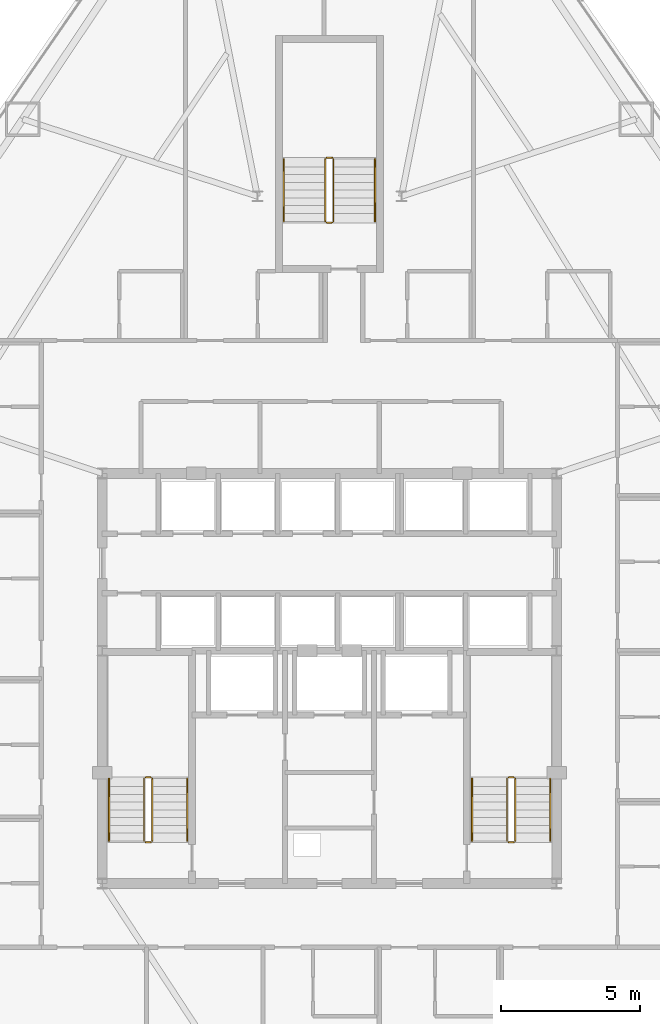
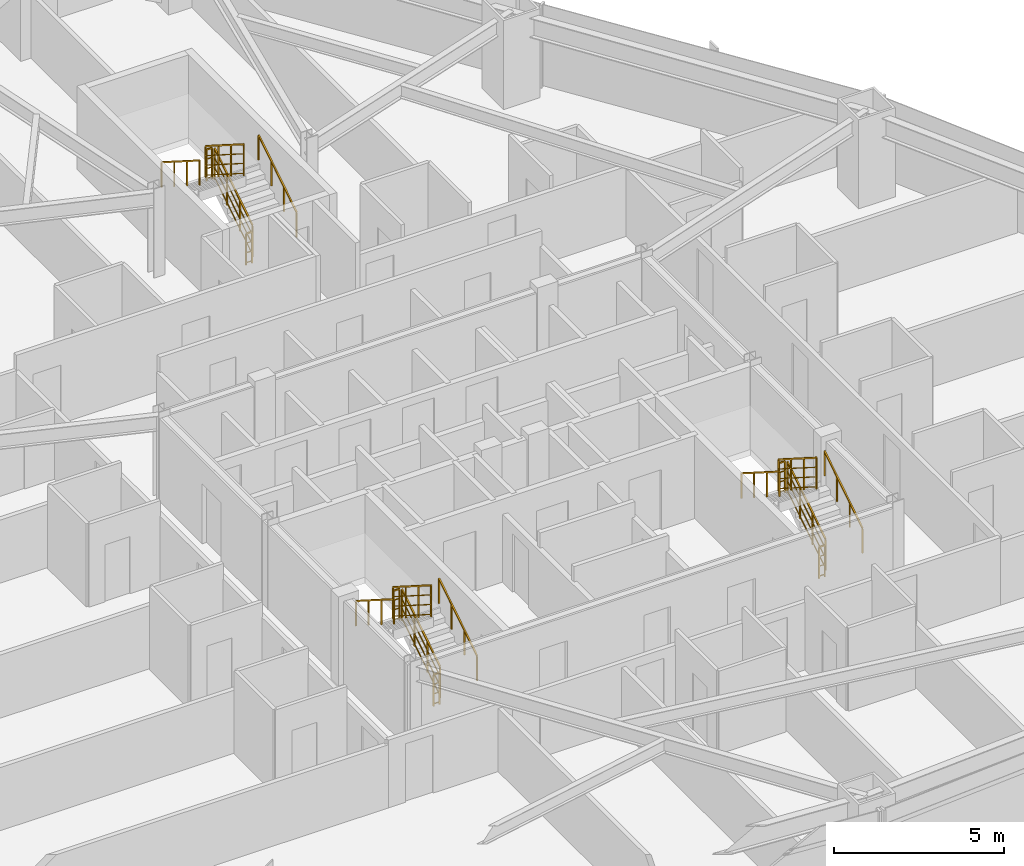
# One storey, part 13 of 13: 18 railings.
"""IFC4 building model written with IfcOpenShell, lengths in metres."""

from ifc_helpers import new_model, si_unit, direction, frame, origin, origin_2d, place, context, subcontext, project, spatial, rectangle, extrude, material, type_object, element, save


model = new_model("IFC4")

# Units and contexts
model_context = context("Model", 3, precision=1e-05, world=origin(), true_north=direction((0.0, 1.0)))
body_context = subcontext(model_context, "Body", "Model", "MODEL_VIEW")
ifc_project = project(units=[si_unit("LENGTHUNIT", "METRE"), si_unit("AREAUNIT", "SQUARE_METRE"), si_unit("VOLUMEUNIT", "CUBIC_METRE"), si_unit("PLANEANGLEUNIT", "RADIAN"), si_unit("MASSUNIT", "GRAM", prefix="KILO")], contexts=[model_context])

# Site, building, storey
site_placement = place(None, origin())
site = spatial("IfcSite", under=ifc_project, at=site_placement, CompositionType="ELEMENT")
building_placement = place(site_placement, origin())
building = spatial("IfcBuilding", under=site, at=building_placement, Name="Varakhsha Concourse Tower", CompositionType="ELEMENT")
storey_placement = place(building_placement, frame((0.0, 0.0, 46.39990234375)))
storey = spatial("IfcBuildingStorey", under=building, at=storey_placement, Name="L12", CompositionType="ELEMENT", Elevation=46.39990234375)

# Railings
ifc_material = material(Name="Brushed Austenitic Stainless Steel AISI 316", Category="steel")
railing_type_1 = type_object("IfcRailingType", Name="RL-STAIR-GUARD-1100", PredefinedType="GUARDRAIL", material=ifc_material)
railing_1_placement = place(storey_placement, frame((33.610107421875, 17.93994140625, 0.177978515625)))
element("IfcRailing", 1, at=railing_1_placement, inside=storey, type_object=railing_type_1, Name="L12 ST1 stair guard 1", PredefinedType="GUARDRAIL", context=body_context, shape_type="SweptSolid", body=[
    extrude(rectangle(XDim=0.048095703125, YDim=0.048095703125, at=origin_2d()), frame((0.0, 0.0, 1.1259765625), z_axis=(0.0, 0.8442293374, 0.53598211339), x_axis=(-1.0, 0.0, 0.0)), (0.0, 0.0, 1.0), 2.6533203125),
    extrude(rectangle(XDim=0.028076171875, YDim=0.028076171875, at=origin_2d()), frame((0.0, 0.0, 0.080078125), z_axis=(0.0, 0.8442293374, 0.53598211339), x_axis=(-1.0, 0.0, 0.0)), (0.0, 0.0, 1.0), 2.6533203125),
    extrude(rectangle(XDim=0.028076171875, YDim=0.028076171875, at=origin_2d()), frame((0.0, 0.0, 0.43701171875), z_axis=(0.0, 0.8442293374, 0.53598211339), x_axis=(-1.0, 0.0, 0.0)), (0.0, 0.0, 1.0), 2.6533203125),
    extrude(rectangle(XDim=0.028076171875, YDim=0.028076171875, at=origin_2d()), frame((0.0, 0.0, 0.781982421875), z_axis=(0.0, 0.8442293374, 0.53598211339), x_axis=(-1.0, 0.0, 0.0)), (0.0, 0.0, 1.0), 2.6533203125),
    extrude(rectangle(XDim=0.0419921875, YDim=0.0419921875, at=origin_2d()), origin(), (0.0, 0.0, 1.0), 1.101806640625),
    extrude(rectangle(XDim=0.0419921875, YDim=0.0419921875, at=origin_2d()), frame((0.0, 0.74658203125, 0.47412109375)), (0.0, 0.0, 1.0), 1.101806640625),
    extrude(rectangle(XDim=0.0419921875, YDim=0.0419921875, at=origin_2d()), frame((0.0, 1.493408203125, 0.947998046875)), (0.0, 0.0, 1.0), 1.101806640625),
    extrude(rectangle(XDim=0.0419921875, YDim=0.0419921875, at=origin_2d()), frame((0.0, 2.239990234375, 1.422119140625)), (0.0, 0.0, 1.0), 1.101806640625),
])
railing_2_placement = place(storey_placement, frame((33.56005859375, 20.22998046875, 1.60009765625)))
element("IfcRailing", 2, at=railing_2_placement, inside=storey, type_object=railing_type_1, Name="L12 ST1 stair guard 2", PredefinedType="GUARDRAIL", context=body_context, shape_type="SweptSolid", body=[
    extrude(rectangle(XDim=0.048095703125, YDim=0.048095703125, at=origin_2d()), frame((0.0, 0.0, 1.1259765625), z_axis=(-1.0, 0.0, 0.0), x_axis=(0.0, -1.0, 0.0)), (0.0, 0.0, 1.0), 0.199951171875),
    extrude(rectangle(XDim=0.028076171875, YDim=0.028076171875, at=origin_2d()), frame((0.0, 0.0, 0.080078125), z_axis=(-1.0, 0.0, 0.0), x_axis=(0.0, -1.0, 0.0)), (0.0, 0.0, 1.0), 0.199951171875),
    extrude(rectangle(XDim=0.028076171875, YDim=0.028076171875, at=origin_2d()), frame((0.0, 0.0, 0.43701171875), z_axis=(-1.0, 0.0, 0.0), x_axis=(0.0, -1.0, 0.0)), (0.0, 0.0, 1.0), 0.199951171875),
    extrude(rectangle(XDim=0.028076171875, YDim=0.028076171875, at=origin_2d()), frame((0.0, 0.0, 0.781982421875), z_axis=(-1.0, 0.0, 0.0), x_axis=(0.0, -1.0, 0.0)), (0.0, 0.0, 1.0), 0.199951171875),
    extrude(rectangle(XDim=0.0419921875, YDim=0.0419921875, at=origin_2d()), origin(), (0.0, 0.0, 1.0), 1.101806640625),
    extrude(rectangle(XDim=0.0419921875, YDim=0.0419921875, at=origin_2d()), frame((-0.199951171875, 0.0, 0.0)), (0.0, 0.0, 1.0), 1.101806640625),
])
railing_3_placement = place(storey_placement, frame((33.31005859375, 20.179931640625, 1.77783203125)))
element("IfcRailing", 3, at=railing_3_placement, inside=storey, type_object=railing_type_1, Name="L12 ST1 stair guard 3", PredefinedType="GUARDRAIL", context=body_context, shape_type="SweptSolid", body=[
    extrude(rectangle(XDim=0.048095703125, YDim=0.048095703125, at=origin_2d()), frame((0.0, 0.0, 1.1259765625), z_axis=(0.0, -0.84418770128, 0.536047689118), x_axis=(1.0, 0.0, 0.0)), (0.0, 0.0, 1.0), 2.6533203125),
    extrude(rectangle(XDim=0.028076171875, YDim=0.028076171875, at=origin_2d()), frame((0.0, 0.0, 0.080078125), z_axis=(0.0, -0.84418770128, 0.536047689118), x_axis=(1.0, 0.0, 0.0)), (0.0, 0.0, 1.0), 2.6533203125),
    extrude(rectangle(XDim=0.028076171875, YDim=0.028076171875, at=origin_2d()), frame((0.0, 0.0, 0.43701171875), z_axis=(0.0, -0.84418770128, 0.536047689118), x_axis=(1.0, 0.0, 0.0)), (0.0, 0.0, 1.0), 2.6533203125),
    extrude(rectangle(XDim=0.028076171875, YDim=0.028076171875, at=origin_2d()), frame((0.0, 0.0, 0.781982421875), z_axis=(0.0, -0.84418770128, 0.536047689118), x_axis=(1.0, 0.0, 0.0)), (0.0, 0.0, 1.0), 2.6533203125),
    extrude(rectangle(XDim=0.0419921875, YDim=0.0419921875, at=origin_2d()), origin(), (0.0, 0.0, 1.0), 1.101806640625),
    extrude(rectangle(XDim=0.0419921875, YDim=0.0419921875, at=origin_2d()), frame((0.0, -0.74658203125, 0.47412109375)), (0.0, 0.0, 1.0), 1.101806640625),
    extrude(rectangle(XDim=0.0419921875, YDim=0.0419921875, at=origin_2d()), frame((0.0, -1.493408203125, 0.9482421875)), (0.0, 0.0, 1.0), 1.101806640625),
    extrude(rectangle(XDim=0.0419921875, YDim=0.0419921875, at=origin_2d()), frame((0.0, -2.239990234375, 1.42236328125)), (0.0, 0.0, 1.0), 1.101806640625),
])
railing_4_placement = place(storey_placement, frame((33.56005859375, 17.889892578125, 0.0)))
element("IfcRailing", 4, at=railing_4_placement, inside=storey, type_object=railing_type_1, Name="L12 ST1 stair guard 4", PredefinedType="GUARDRAIL", context=body_context, shape_type="SweptSolid", body=[
    extrude(rectangle(XDim=0.048095703125, YDim=0.048095703125, at=origin_2d()), frame((0.0, 0.0, 1.1259765625), z_axis=(-1.0, 0.0, 0.0), x_axis=(0.0, -1.0, 0.0)), (0.0, 0.0, 1.0), 0.199951171875),
    extrude(rectangle(XDim=0.028076171875, YDim=0.028076171875, at=origin_2d()), frame((0.0, 0.0, 0.080078125), z_axis=(-1.0, 0.0, 0.0), x_axis=(0.0, -1.0, 0.0)), (0.0, 0.0, 1.0), 0.199951171875),
    extrude(rectangle(XDim=0.028076171875, YDim=0.028076171875, at=origin_2d()), frame((0.0, 0.0, 0.43701171875), z_axis=(-1.0, 0.0, 0.0), x_axis=(0.0, -1.0, 0.0)), (0.0, 0.0, 1.0), 0.199951171875),
    extrude(rectangle(XDim=0.028076171875, YDim=0.028076171875, at=origin_2d()), frame((0.0, 0.0, 0.781982421875), z_axis=(-1.0, 0.0, 0.0), x_axis=(0.0, -1.0, 0.0)), (0.0, 0.0, 1.0), 0.199951171875),
    extrude(rectangle(XDim=0.0419921875, YDim=0.0419921875, at=origin_2d()), origin(), (0.0, 0.0, 1.0), 1.101806640625),
    extrude(rectangle(XDim=0.0419921875, YDim=0.0419921875, at=origin_2d()), frame((-0.199951171875, 0.0, 0.0)), (0.0, 0.0, 1.0), 1.101806640625),
])
railing_5_placement = place(storey_placement, frame((46.7099609375, 17.93994140625, 0.177978515625)))
element("IfcRailing", 5, at=railing_5_placement, inside=storey, type_object=railing_type_1, Name="L12 ST2 stair guard 1", PredefinedType="GUARDRAIL", context=body_context, shape_type="SweptSolid", body=[
    extrude(rectangle(XDim=0.048095703125, YDim=0.048095703125, at=origin_2d()), frame((0.0, 0.0, 1.1259765625), z_axis=(0.0, 0.8442293374, 0.53598211339), x_axis=(-1.0, 0.0, 0.0)), (0.0, 0.0, 1.0), 2.6533203125),
    extrude(rectangle(XDim=0.028076171875, YDim=0.028076171875, at=origin_2d()), frame((0.0, 0.0, 0.080078125), z_axis=(0.0, 0.8442293374, 0.53598211339), x_axis=(-1.0, 0.0, 0.0)), (0.0, 0.0, 1.0), 2.6533203125),
    extrude(rectangle(XDim=0.028076171875, YDim=0.028076171875, at=origin_2d()), frame((0.0, 0.0, 0.43701171875), z_axis=(0.0, 0.8442293374, 0.53598211339), x_axis=(-1.0, 0.0, 0.0)), (0.0, 0.0, 1.0), 2.6533203125),
    extrude(rectangle(XDim=0.028076171875, YDim=0.028076171875, at=origin_2d()), frame((0.0, 0.0, 0.781982421875), z_axis=(0.0, 0.8442293374, 0.53598211339), x_axis=(-1.0, 0.0, 0.0)), (0.0, 0.0, 1.0), 2.6533203125),
    extrude(rectangle(XDim=0.0419921875, YDim=0.0419921875, at=origin_2d()), origin(), (0.0, 0.0, 1.0), 1.101806640625),
    extrude(rectangle(XDim=0.0419921875, YDim=0.0419921875, at=origin_2d()), frame((0.0, 0.74658203125, 0.47412109375)), (0.0, 0.0, 1.0), 1.101806640625),
    extrude(rectangle(XDim=0.0419921875, YDim=0.0419921875, at=origin_2d()), frame((0.0, 1.493408203125, 0.947998046875)), (0.0, 0.0, 1.0), 1.101806640625),
    extrude(rectangle(XDim=0.0419921875, YDim=0.0419921875, at=origin_2d()), frame((0.0, 2.239990234375, 1.422119140625)), (0.0, 0.0, 1.0), 1.101806640625),
])
railing_6_placement = place(storey_placement, frame((46.659912109375, 20.22998046875, 1.60009765625)))
element("IfcRailing", 6, at=railing_6_placement, inside=storey, type_object=railing_type_1, Name="L12 ST2 stair guard 2", PredefinedType="GUARDRAIL", context=body_context, shape_type="SweptSolid", body=[
    extrude(rectangle(XDim=0.048095703125, YDim=0.048095703125, at=origin_2d()), frame((0.0, 0.0, 1.1259765625), z_axis=(-1.0, 0.0, 0.0), x_axis=(0.0, -1.0, 0.0)), (0.0, 0.0, 1.0), 0.199951171875),
    extrude(rectangle(XDim=0.028076171875, YDim=0.028076171875, at=origin_2d()), frame((0.0, 0.0, 0.080078125), z_axis=(-1.0, 0.0, 0.0), x_axis=(0.0, -1.0, 0.0)), (0.0, 0.0, 1.0), 0.199951171875),
    extrude(rectangle(XDim=0.028076171875, YDim=0.028076171875, at=origin_2d()), frame((0.0, 0.0, 0.43701171875), z_axis=(-1.0, 0.0, 0.0), x_axis=(0.0, -1.0, 0.0)), (0.0, 0.0, 1.0), 0.199951171875),
    extrude(rectangle(XDim=0.028076171875, YDim=0.028076171875, at=origin_2d()), frame((0.0, 0.0, 0.781982421875), z_axis=(-1.0, 0.0, 0.0), x_axis=(0.0, -1.0, 0.0)), (0.0, 0.0, 1.0), 0.199951171875),
    extrude(rectangle(XDim=0.0419921875, YDim=0.0419921875, at=origin_2d()), origin(), (0.0, 0.0, 1.0), 1.101806640625),
    extrude(rectangle(XDim=0.0419921875, YDim=0.0419921875, at=origin_2d()), frame((-0.199951171875, 0.0, 0.0)), (0.0, 0.0, 1.0), 1.101806640625),
])
railing_7_placement = place(storey_placement, frame((46.409912109375, 20.179931640625, 1.77783203125)))
element("IfcRailing", 7, at=railing_7_placement, inside=storey, type_object=railing_type_1, Name="L12 ST2 stair guard 3", PredefinedType="GUARDRAIL", context=body_context, shape_type="SweptSolid", body=[
    extrude(rectangle(XDim=0.048095703125, YDim=0.048095703125, at=origin_2d()), frame((0.0, 0.0, 1.1259765625), z_axis=(0.0, -0.84418770128, 0.536047689118), x_axis=(1.0, 0.0, 0.0)), (0.0, 0.0, 1.0), 2.6533203125),
    extrude(rectangle(XDim=0.028076171875, YDim=0.028076171875, at=origin_2d()), frame((0.0, 0.0, 0.080078125), z_axis=(0.0, -0.84418770128, 0.536047689118), x_axis=(1.0, 0.0, 0.0)), (0.0, 0.0, 1.0), 2.6533203125),
    extrude(rectangle(XDim=0.028076171875, YDim=0.028076171875, at=origin_2d()), frame((0.0, 0.0, 0.43701171875), z_axis=(0.0, -0.84418770128, 0.536047689118), x_axis=(1.0, 0.0, 0.0)), (0.0, 0.0, 1.0), 2.6533203125),
    extrude(rectangle(XDim=0.028076171875, YDim=0.028076171875, at=origin_2d()), frame((0.0, 0.0, 0.781982421875), z_axis=(0.0, -0.84418770128, 0.536047689118), x_axis=(1.0, 0.0, 0.0)), (0.0, 0.0, 1.0), 2.6533203125),
    extrude(rectangle(XDim=0.0419921875, YDim=0.0419921875, at=origin_2d()), origin(), (0.0, 0.0, 1.0), 1.101806640625),
    extrude(rectangle(XDim=0.0419921875, YDim=0.0419921875, at=origin_2d()), frame((0.0, -0.74658203125, 0.47412109375)), (0.0, 0.0, 1.0), 1.101806640625),
    extrude(rectangle(XDim=0.0419921875, YDim=0.0419921875, at=origin_2d()), frame((0.0, -1.493408203125, 0.9482421875)), (0.0, 0.0, 1.0), 1.101806640625),
    extrude(rectangle(XDim=0.0419921875, YDim=0.0419921875, at=origin_2d()), frame((0.0, -2.239990234375, 1.42236328125)), (0.0, 0.0, 1.0), 1.101806640625),
])
railing_8_placement = place(storey_placement, frame((46.659912109375, 17.889892578125, 0.0)))
element("IfcRailing", 8, at=railing_8_placement, inside=storey, type_object=railing_type_1, Name="L12 ST2 stair guard 4", PredefinedType="GUARDRAIL", context=body_context, shape_type="SweptSolid", body=[
    extrude(rectangle(XDim=0.048095703125, YDim=0.048095703125, at=origin_2d()), frame((0.0, 0.0, 1.1259765625), z_axis=(-1.0, 0.0, 0.0), x_axis=(0.0, -1.0, 0.0)), (0.0, 0.0, 1.0), 0.199951171875),
    extrude(rectangle(XDim=0.028076171875, YDim=0.028076171875, at=origin_2d()), frame((0.0, 0.0, 0.080078125), z_axis=(-1.0, 0.0, 0.0), x_axis=(0.0, -1.0, 0.0)), (0.0, 0.0, 1.0), 0.199951171875),
    extrude(rectangle(XDim=0.028076171875, YDim=0.028076171875, at=origin_2d()), frame((0.0, 0.0, 0.43701171875), z_axis=(-1.0, 0.0, 0.0), x_axis=(0.0, -1.0, 0.0)), (0.0, 0.0, 1.0), 0.199951171875),
    extrude(rectangle(XDim=0.028076171875, YDim=0.028076171875, at=origin_2d()), frame((0.0, 0.0, 0.781982421875), z_axis=(-1.0, 0.0, 0.0), x_axis=(0.0, -1.0, 0.0)), (0.0, 0.0, 1.0), 0.199951171875),
    extrude(rectangle(XDim=0.0419921875, YDim=0.0419921875, at=origin_2d()), origin(), (0.0, 0.0, 1.0), 1.101806640625),
    extrude(rectangle(XDim=0.0419921875, YDim=0.0419921875, at=origin_2d()), frame((-0.199951171875, 0.0, 0.0)), (0.0, 0.0, 1.0), 1.101806640625),
])
railing_9_placement = place(storey_placement, frame((40.14990234375, 40.300048828125, 0.177978515625)))
element("IfcRailing", 9, at=railing_9_placement, inside=storey, type_object=railing_type_1, Name="L12 ST5 stair guard 1", PredefinedType="GUARDRAIL", context=body_context, shape_type="SweptSolid", body=[
    extrude(rectangle(XDim=0.048095703125, YDim=0.048095703125, at=origin_2d()), frame((0.0, 0.0, 1.1259765625), z_axis=(0.0, 0.8442293374, 0.53598211339), x_axis=(-1.0, 0.0, 0.0)), (0.0, 0.0, 1.0), 2.6533203125),
    extrude(rectangle(XDim=0.028076171875, YDim=0.028076171875, at=origin_2d()), frame((0.0, 0.0, 0.080078125), z_axis=(0.0, 0.8442293374, 0.53598211339), x_axis=(-1.0, 0.0, 0.0)), (0.0, 0.0, 1.0), 2.6533203125),
    extrude(rectangle(XDim=0.028076171875, YDim=0.028076171875, at=origin_2d()), frame((0.0, 0.0, 0.43701171875), z_axis=(0.0, 0.8442293374, 0.53598211339), x_axis=(-1.0, 0.0, 0.0)), (0.0, 0.0, 1.0), 2.6533203125),
    extrude(rectangle(XDim=0.028076171875, YDim=0.028076171875, at=origin_2d()), frame((0.0, 0.0, 0.781982421875), z_axis=(0.0, 0.8442293374, 0.53598211339), x_axis=(-1.0, 0.0, 0.0)), (0.0, 0.0, 1.0), 2.6533203125),
    extrude(rectangle(XDim=0.0419921875, YDim=0.0419921875, at=origin_2d()), origin(), (0.0, 0.0, 1.0), 1.101806640625),
    extrude(rectangle(XDim=0.0419921875, YDim=0.0419921875, at=origin_2d()), frame((0.0, 0.74658203125, 0.47412109375)), (0.0, 0.0, 1.0), 1.101806640625),
    extrude(rectangle(XDim=0.0419921875, YDim=0.0419921875, at=origin_2d()), frame((0.0, 1.493408203125, 0.947998046875)), (0.0, 0.0, 1.0), 1.101806640625),
    extrude(rectangle(XDim=0.0419921875, YDim=0.0419921875, at=origin_2d()), frame((0.0, 2.239990234375, 1.422119140625)), (0.0, 0.0, 1.0), 1.101806640625),
])
railing_10_placement = place(storey_placement, frame((40.10009765625, 42.590087890625, 1.60009765625)))
element("IfcRailing", 10, at=railing_10_placement, inside=storey, type_object=railing_type_1, Name="L12 ST5 stair guard 2", PredefinedType="GUARDRAIL", context=body_context, shape_type="SweptSolid", body=[
    extrude(rectangle(XDim=0.048095703125, YDim=0.048095703125, at=origin_2d()), frame((0.0, 0.0, 1.1259765625), z_axis=(-1.0, 0.0, 0.0), x_axis=(0.0, -1.0, 0.0)), (0.0, 0.0, 1.0), 0.2001953125),
    extrude(rectangle(XDim=0.028076171875, YDim=0.028076171875, at=origin_2d()), frame((0.0, 0.0, 0.080078125), z_axis=(-1.0, 0.0, 0.0), x_axis=(0.0, -1.0, 0.0)), (0.0, 0.0, 1.0), 0.2001953125),
    extrude(rectangle(XDim=0.028076171875, YDim=0.028076171875, at=origin_2d()), frame((0.0, 0.0, 0.43701171875), z_axis=(-1.0, 0.0, 0.0), x_axis=(0.0, -1.0, 0.0)), (0.0, 0.0, 1.0), 0.2001953125),
    extrude(rectangle(XDim=0.028076171875, YDim=0.028076171875, at=origin_2d()), frame((0.0, 0.0, 0.781982421875), z_axis=(-1.0, 0.0, 0.0), x_axis=(0.0, -1.0, 0.0)), (0.0, 0.0, 1.0), 0.2001953125),
    extrude(rectangle(XDim=0.0419921875, YDim=0.0419921875, at=origin_2d()), origin(), (0.0, 0.0, 1.0), 1.101806640625),
    extrude(rectangle(XDim=0.0419921875, YDim=0.0419921875, at=origin_2d()), frame((-0.2001953125, 0.0, 0.0)), (0.0, 0.0, 1.0), 1.101806640625),
])
railing_11_placement = place(storey_placement, frame((39.85009765625, 42.5400390625, 1.77783203125)))
element("IfcRailing", 11, at=railing_11_placement, inside=storey, type_object=railing_type_1, Name="L12 ST5 stair guard 3", PredefinedType="GUARDRAIL", context=body_context, shape_type="SweptSolid", body=[
    extrude(rectangle(XDim=0.048095703125, YDim=0.048095703125, at=origin_2d()), frame((0.0, 0.0, 1.1259765625), z_axis=(0.0, -0.84418770128, 0.536047689118), x_axis=(1.0, 0.0, 0.0)), (0.0, 0.0, 1.0), 2.6533203125),
    extrude(rectangle(XDim=0.028076171875, YDim=0.028076171875, at=origin_2d()), frame((0.0, 0.0, 0.080078125), z_axis=(0.0, -0.84418770128, 0.536047689118), x_axis=(1.0, 0.0, 0.0)), (0.0, 0.0, 1.0), 2.6533203125),
    extrude(rectangle(XDim=0.028076171875, YDim=0.028076171875, at=origin_2d()), frame((0.0, 0.0, 0.43701171875), z_axis=(0.0, -0.84418770128, 0.536047689118), x_axis=(1.0, 0.0, 0.0)), (0.0, 0.0, 1.0), 2.6533203125),
    extrude(rectangle(XDim=0.028076171875, YDim=0.028076171875, at=origin_2d()), frame((0.0, 0.0, 0.781982421875), z_axis=(0.0, -0.84418770128, 0.536047689118), x_axis=(1.0, 0.0, 0.0)), (0.0, 0.0, 1.0), 2.6533203125),
    extrude(rectangle(XDim=0.0419921875, YDim=0.0419921875, at=origin_2d()), origin(), (0.0, 0.0, 1.0), 1.101806640625),
    extrude(rectangle(XDim=0.0419921875, YDim=0.0419921875, at=origin_2d()), frame((0.0, -0.74658203125, 0.47412109375)), (0.0, 0.0, 1.0), 1.101806640625),
    extrude(rectangle(XDim=0.0419921875, YDim=0.0419921875, at=origin_2d()), frame((0.0, -1.493408203125, 0.9482421875)), (0.0, 0.0, 1.0), 1.101806640625),
    extrude(rectangle(XDim=0.0419921875, YDim=0.0419921875, at=origin_2d()), frame((0.0, -2.239990234375, 1.42236328125)), (0.0, 0.0, 1.0), 1.101806640625),
])
railing_12_placement = place(storey_placement, frame((40.10009765625, 40.25, 0.0)))
element("IfcRailing", 12, at=railing_12_placement, inside=storey, type_object=railing_type_1, Name="L12 ST5 stair guard 4", PredefinedType="GUARDRAIL", context=body_context, shape_type="SweptSolid", body=[
    extrude(rectangle(XDim=0.048095703125, YDim=0.048095703125, at=origin_2d()), frame((0.0, 0.0, 1.1259765625), z_axis=(-1.0, 0.0, 0.0), x_axis=(0.0, -1.0, 0.0)), (0.0, 0.0, 1.0), 0.2001953125),
    extrude(rectangle(XDim=0.028076171875, YDim=0.028076171875, at=origin_2d()), frame((0.0, 0.0, 0.080078125), z_axis=(-1.0, 0.0, 0.0), x_axis=(0.0, -1.0, 0.0)), (0.0, 0.0, 1.0), 0.2001953125),
    extrude(rectangle(XDim=0.028076171875, YDim=0.028076171875, at=origin_2d()), frame((0.0, 0.0, 0.43701171875), z_axis=(-1.0, 0.0, 0.0), x_axis=(0.0, -1.0, 0.0)), (0.0, 0.0, 1.0), 0.2001953125),
    extrude(rectangle(XDim=0.028076171875, YDim=0.028076171875, at=origin_2d()), frame((0.0, 0.0, 0.781982421875), z_axis=(-1.0, 0.0, 0.0), x_axis=(0.0, -1.0, 0.0)), (0.0, 0.0, 1.0), 0.2001953125),
    extrude(rectangle(XDim=0.0419921875, YDim=0.0419921875, at=origin_2d()), origin(), (0.0, 0.0, 1.0), 1.101806640625),
    extrude(rectangle(XDim=0.0419921875, YDim=0.0419921875, at=origin_2d()), frame((-0.2001953125, 0.0, 0.0)), (0.0, 0.0, 1.0), 1.101806640625),
])
railing_type_2 = type_object("IfcRailingType", Name="RL-STAIR-RAIL-915", PredefinedType="HANDRAIL", material=ifc_material)
railing_13_placement = place(storey_placement, frame((34.8701171875, 17.93994140625, 0.355712890625)))
element("IfcRailing", 13, at=railing_13_placement, inside=storey, type_object=railing_type_2, Name="L12 ST1 stair handrail 1", PredefinedType="HANDRAIL", context=body_context, shape_type="SweptSolid", body=[
    extrude(rectangle(XDim=0.048095703125, YDim=0.048095703125, at=origin_2d()), frame((0.0, 0.0, 0.89111328125), z_axis=(0.0, 0.8442293374, 0.53598211339), x_axis=(-1.0, 0.0, 0.0)), (0.0, 0.0, 1.0), 2.6533203125),
    extrude(rectangle(XDim=0.0419921875, YDim=0.0419921875, at=origin_2d()), origin(), (0.0, 0.0, 1.0), 0.866943359375),
    extrude(rectangle(XDim=0.0419921875, YDim=0.0419921875, at=origin_2d()), frame((0.0, 0.74658203125, 0.47412109375)), (0.0, 0.0, 1.0), 0.866943359375),
    extrude(rectangle(XDim=0.0419921875, YDim=0.0419921875, at=origin_2d()), frame((0.0, 1.493408203125, 0.947998046875)), (0.0, 0.0, 1.0), 0.866943359375),
    extrude(rectangle(XDim=0.0419921875, YDim=0.0419921875, at=origin_2d()), frame((0.0, 2.239990234375, 1.422119140625)), (0.0, 0.0, 1.0), 0.866943359375),
])
railing_14_placement = place(storey_placement, frame((32.050048828125, 20.179931640625, 1.95556640625)))
element("IfcRailing", 14, at=railing_14_placement, inside=storey, type_object=railing_type_2, Name="L12 ST1 stair handrail 2", PredefinedType="HANDRAIL", context=body_context, shape_type="SweptSolid", body=[
    extrude(rectangle(XDim=0.048095703125, YDim=0.048095703125, at=origin_2d()), frame((0.0, 0.0, 0.89111328125), z_axis=(0.0, -0.84418770128, 0.536047689118), x_axis=(1.0, 0.0, 0.0)), (0.0, 0.0, 1.0), 2.6533203125),
    extrude(rectangle(XDim=0.0419921875, YDim=0.0419921875, at=origin_2d()), origin(), (0.0, 0.0, 1.0), 0.866943359375),
    extrude(rectangle(XDim=0.0419921875, YDim=0.0419921875, at=origin_2d()), frame((0.0, -0.74658203125, 0.47412109375)), (0.0, 0.0, 1.0), 0.866943359375),
    extrude(rectangle(XDim=0.0419921875, YDim=0.0419921875, at=origin_2d()), frame((0.0, -1.493408203125, 0.9482421875)), (0.0, 0.0, 1.0), 0.866943359375),
    extrude(rectangle(XDim=0.0419921875, YDim=0.0419921875, at=origin_2d()), frame((0.0, -2.239990234375, 1.42236328125)), (0.0, 0.0, 1.0), 0.866943359375),
])
railing_15_placement = place(storey_placement, frame((47.969970703125, 17.93994140625, 0.355712890625)))
element("IfcRailing", 15, at=railing_15_placement, inside=storey, type_object=railing_type_2, Name="L12 ST2 stair handrail 1", PredefinedType="HANDRAIL", context=body_context, shape_type="SweptSolid", body=[
    extrude(rectangle(XDim=0.048095703125, YDim=0.048095703125, at=origin_2d()), frame((0.0, 0.0, 0.89111328125), z_axis=(0.0, 0.8442293374, 0.53598211339), x_axis=(-1.0, 0.0, 0.0)), (0.0, 0.0, 1.0), 2.6533203125),
    extrude(rectangle(XDim=0.0419921875, YDim=0.0419921875, at=origin_2d()), origin(), (0.0, 0.0, 1.0), 0.866943359375),
    extrude(rectangle(XDim=0.0419921875, YDim=0.0419921875, at=origin_2d()), frame((0.0, 0.74658203125, 0.47412109375)), (0.0, 0.0, 1.0), 0.866943359375),
    extrude(rectangle(XDim=0.0419921875, YDim=0.0419921875, at=origin_2d()), frame((0.0, 1.493408203125, 0.947998046875)), (0.0, 0.0, 1.0), 0.866943359375),
    extrude(rectangle(XDim=0.0419921875, YDim=0.0419921875, at=origin_2d()), frame((0.0, 2.239990234375, 1.422119140625)), (0.0, 0.0, 1.0), 0.866943359375),
])
railing_16_placement = place(storey_placement, frame((45.14990234375, 20.179931640625, 1.95556640625)))
element("IfcRailing", 16, at=railing_16_placement, inside=storey, type_object=railing_type_2, Name="L12 ST2 stair handrail 2", PredefinedType="HANDRAIL", context=body_context, shape_type="SweptSolid", body=[
    extrude(rectangle(XDim=0.048095703125, YDim=0.048095703125, at=origin_2d()), frame((0.0, 0.0, 0.89111328125), z_axis=(0.0, -0.84418770128, 0.536047689118), x_axis=(1.0, 0.0, 0.0)), (0.0, 0.0, 1.0), 2.6533203125),
    extrude(rectangle(XDim=0.0419921875, YDim=0.0419921875, at=origin_2d()), origin(), (0.0, 0.0, 1.0), 0.866943359375),
    extrude(rectangle(XDim=0.0419921875, YDim=0.0419921875, at=origin_2d()), frame((0.0, -0.74658203125, 0.47412109375)), (0.0, 0.0, 1.0), 0.866943359375),
    extrude(rectangle(XDim=0.0419921875, YDim=0.0419921875, at=origin_2d()), frame((0.0, -1.493408203125, 0.9482421875)), (0.0, 0.0, 1.0), 0.866943359375),
    extrude(rectangle(XDim=0.0419921875, YDim=0.0419921875, at=origin_2d()), frame((0.0, -2.239990234375, 1.42236328125)), (0.0, 0.0, 1.0), 0.866943359375),
])
railing_17_placement = place(storey_placement, frame((41.64990234375, 40.300048828125, 0.355712890625)))
element("IfcRailing", 17, at=railing_17_placement, inside=storey, type_object=railing_type_2, Name="L12 ST5 stair handrail 1", PredefinedType="HANDRAIL", context=body_context, shape_type="SweptSolid", body=[
    extrude(rectangle(XDim=0.048095703125, YDim=0.048095703125, at=origin_2d()), frame((0.0, 0.0, 0.89111328125), z_axis=(0.0, 0.8442293374, 0.53598211339), x_axis=(-1.0, 0.0, 0.0)), (0.0, 0.0, 1.0), 2.6533203125),
    extrude(rectangle(XDim=0.0419921875, YDim=0.0419921875, at=origin_2d()), origin(), (0.0, 0.0, 1.0), 0.866943359375),
    extrude(rectangle(XDim=0.0419921875, YDim=0.0419921875, at=origin_2d()), frame((0.0, 0.74658203125, 0.47412109375)), (0.0, 0.0, 1.0), 0.866943359375),
    extrude(rectangle(XDim=0.0419921875, YDim=0.0419921875, at=origin_2d()), frame((0.0, 1.493408203125, 0.947998046875)), (0.0, 0.0, 1.0), 0.866943359375),
    extrude(rectangle(XDim=0.0419921875, YDim=0.0419921875, at=origin_2d()), frame((0.0, 2.239990234375, 1.422119140625)), (0.0, 0.0, 1.0), 0.866943359375),
])
railing_18_placement = place(storey_placement, frame((38.35009765625, 42.5400390625, 1.95556640625)))
element("IfcRailing", 18, at=railing_18_placement, inside=storey, type_object=railing_type_2, Name="L12 ST5 stair handrail 2", PredefinedType="HANDRAIL", context=body_context, shape_type="SweptSolid", body=[
    extrude(rectangle(XDim=0.048095703125, YDim=0.048095703125, at=origin_2d()), frame((0.0, 0.0, 0.89111328125), z_axis=(0.0, -0.84418770128, 0.536047689118), x_axis=(1.0, 0.0, 0.0)), (0.0, 0.0, 1.0), 2.6533203125),
    extrude(rectangle(XDim=0.0419921875, YDim=0.0419921875, at=origin_2d()), origin(), (0.0, 0.0, 1.0), 0.866943359375),
    extrude(rectangle(XDim=0.0419921875, YDim=0.0419921875, at=origin_2d()), frame((0.0, -0.74658203125, 0.47412109375)), (0.0, 0.0, 1.0), 0.866943359375),
    extrude(rectangle(XDim=0.0419921875, YDim=0.0419921875, at=origin_2d()), frame((0.0, -1.493408203125, 0.9482421875)), (0.0, 0.0, 1.0), 0.866943359375),
    extrude(rectangle(XDim=0.0419921875, YDim=0.0419921875, at=origin_2d()), frame((0.0, -2.239990234375, 1.42236328125)), (0.0, 0.0, 1.0), 0.866943359375),
])

save(model, "model.ifc")
